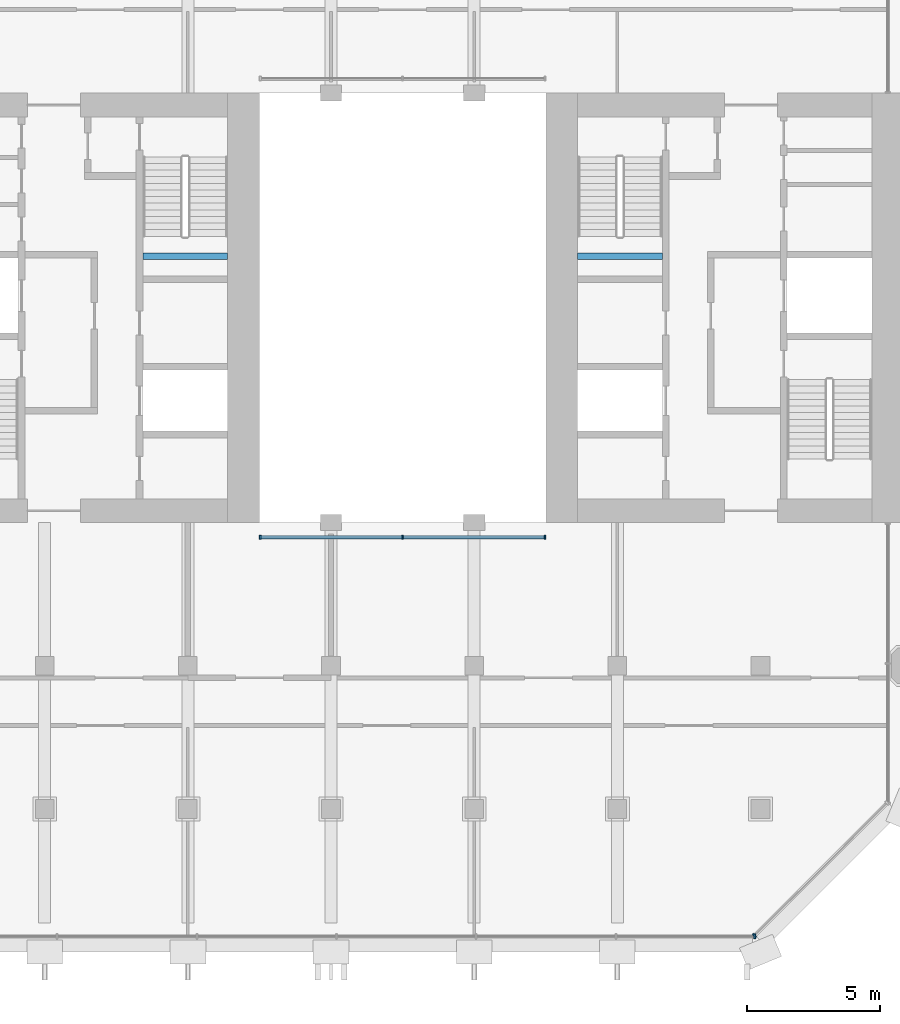
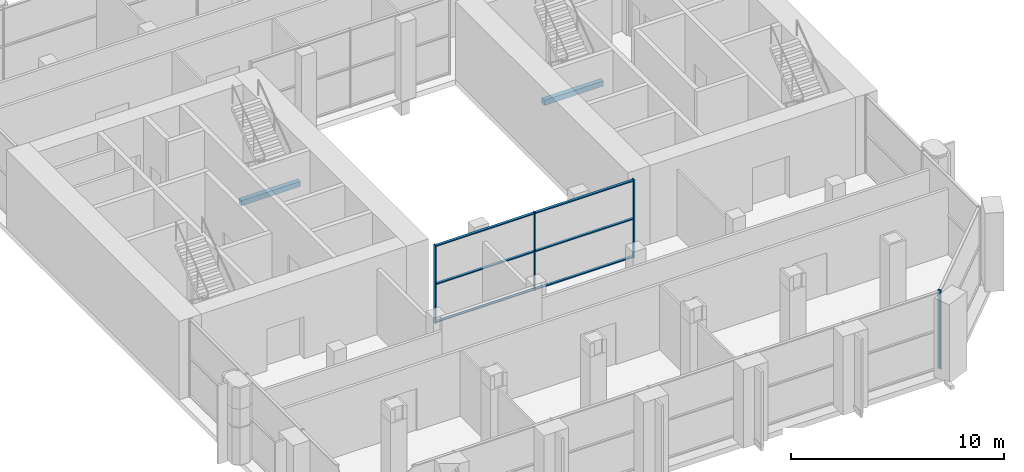
# One storey, part 3 of 13: 11 members, 2 beams, 3 elements without a shape of their own.
"""IFC4 building model written with IfcOpenShell, lengths in metres."""

from ifc_helpers import new_model, si_unit, direction, frame, origin, origin_2d, place, context, subcontext, project, spatial, rectangle, extrude, material, material_profile, profile_set, type_object, element, aggregate, save


model = new_model("IFC4")

# Units and contexts
model_context = context("Model", 3, precision=1e-05, world=origin(), true_north=direction((0.0, 1.0)))
body_context = subcontext(model_context, "Body", "Model", "MODEL_VIEW")
ifc_project = project(units=[si_unit("LENGTHUNIT", "METRE"), si_unit("AREAUNIT", "SQUARE_METRE"), si_unit("VOLUMEUNIT", "CUBIC_METRE"), si_unit("PLANEANGLEUNIT", "RADIAN"), si_unit("MASSUNIT", "GRAM", prefix="KILO")], contexts=[model_context])

# Site, building, storey
site_placement = place(None, origin())
site = spatial("IfcSite", under=ifc_project, at=site_placement, CompositionType="ELEMENT")
building_placement = place(site_placement, origin())
building = spatial("IfcBuilding", under=site, at=building_placement, Name="Tabaq Tower and Sports Hall", CompositionType="ELEMENT")
storey_placement = place(building_placement, frame((0.0, 0.0, 255.699951171875)))
storey = spatial("IfcBuildingStorey", under=building, at=storey_placement, Name="L62", CompositionType="ELEMENT", Elevation=255.699951171875)

# Curtain wall, members
ifc_material_1 = material(Name="Aluminium alloy 6063-T6 framed glazing", Category="aluminium")
curtain_wall_type_1 = type_object("IfcCurtainWallType", Name="CW1 curtain wall", PredefinedType="USERDEFINED", material=ifc_material_1)
curtain_wall_1_placement = place(storey_placement, origin())
curtain_wall_1 = element("IfcCurtainWall", 1, at=curtain_wall_1_placement, inside=storey, type_object=curtain_wall_type_1, Name="Atrium glazing L62 S", ObjectType="ATRIUM ENCLOSURE", PredefinedType="USERDEFINED")
ifc_material_2 = material(Name="Aluminium alloy 6063-T6", Category="aluminium")
ifc_material_profile_1 = material_profile(ifc_material_2, rectangle(XDim=0.159912109375, YDim=0.06005859375, at=origin_2d()), Name="MULLION 160x60")
ifc_profile_set_1 = profile_set([ifc_material_profile_1], Name="Aluminium alloy 6063-T6")
member_type_1 = type_object("IfcMemberType", Name="CW1 mullion 160x60", PredefinedType="MULLION", material=ifc_profile_set_1)
member_1_placement = place(storey_placement, frame((18.929931640625, 15.64990234375, 0.0), z_axis=(0.0, 0.0, 1.0), x_axis=(0.0, 1.0, 0.0)))
member_1 = element("IfcMember", 2, at=member_1_placement, type_object=member_type_1, Name="CW1 mullion 1", PredefinedType="MULLION", context=body_context, shape_type="SweptSolid", body=[
    extrude(rectangle(XDim=0.159912109375, YDim=0.06005859375, at=origin_2d()), origin(), (0.0, 0.0, 1.0), 4.5),
])
member_2_placement = place(storey_placement, frame((24.300048828125, 15.64990234375, 0.0), z_axis=(0.0, 0.0, 1.0), x_axis=(0.0, 1.0, 0.0)))
member_2 = element("IfcMember", 3, at=member_2_placement, type_object=member_type_1, Name="CW1 mullion 2", PredefinedType="MULLION", context=body_context, shape_type="SweptSolid", body=[
    extrude(rectangle(XDim=0.159912109375, YDim=0.06005859375, at=origin_2d()), origin(), (0.0, 0.0, 1.0), 4.5),
])
member_3_placement = place(storey_placement, frame((29.669921875, 15.64990234375, 0.0), z_axis=(0.0, 0.0, 1.0), x_axis=(0.0, 1.0, 0.0)))
member_3 = element("IfcMember", 4, at=member_3_placement, type_object=member_type_1, Name="CW1 mullion 3", PredefinedType="MULLION", context=body_context, shape_type="SweptSolid", body=[
    extrude(rectangle(XDim=0.159912109375, YDim=0.06005859375, at=origin_2d()), origin(), (0.0, 0.0, 1.0), 4.5),
])
ifc_material_3 = material(Name="Aluminium alloy 6063-T6", Category="aluminium")
ifc_material_profile_2 = material_profile(ifc_material_3, rectangle(XDim=0.139892578125, YDim=0.06005859375, at=origin_2d()), Name="TRANSOM 140x60")
ifc_profile_set_2 = profile_set([ifc_material_profile_2], Name="Aluminium alloy 6063-T6")
member_type_2 = type_object("IfcMemberType", Name="CW1 transom 140x60", PredefinedType="USERDEFINED", material=ifc_profile_set_2)
member_4_placement = place(storey_placement, frame((18.9599609375, 15.64990234375, 0.070068359375), z_axis=(1.0, 0.0, 0.0), x_axis=(0.0, 1.0, 0.0)))
member_4 = element("IfcMember", 5, at=member_4_placement, type_object=member_type_2, Name="CW1 transom 1.1", ObjectType="TRANSOM", PredefinedType="USERDEFINED", context=body_context, shape_type="SweptSolid", body=[
    extrude(rectangle(XDim=0.139892578125, YDim=0.06005859375, at=origin_2d()), origin(), (0.0, 0.0, 1.0), 5.31005859375),
])
member_5_placement = place(storey_placement, frame((18.9599609375, 15.64990234375, 2.25), z_axis=(1.0, 0.0, 0.0), x_axis=(0.0, 1.0, 0.0)))
member_5 = element("IfcMember", 6, at=member_5_placement, type_object=member_type_2, Name="CW1 transom 1.2", ObjectType="TRANSOM", PredefinedType="USERDEFINED", context=body_context, shape_type="SweptSolid", body=[
    extrude(rectangle(XDim=0.139892578125, YDim=0.06005859375, at=origin_2d()), origin(), (0.0, 0.0, 1.0), 5.31005859375),
])
member_6_placement = place(storey_placement, frame((18.9599609375, 15.64990234375, 4.429931640625), z_axis=(1.0, 0.0, 0.0), x_axis=(0.0, 1.0, 0.0)))
member_6 = element("IfcMember", 7, at=member_6_placement, type_object=member_type_2, Name="CW1 transom 1.3", ObjectType="TRANSOM", PredefinedType="USERDEFINED", context=body_context, shape_type="SweptSolid", body=[
    extrude(rectangle(XDim=0.139892578125, YDim=0.06005859375, at=origin_2d()), origin(), (0.0, 0.0, 1.0), 5.31005859375),
])
member_7_placement = place(storey_placement, frame((24.330078125, 15.64990234375, 0.070068359375), z_axis=(1.0, 0.0, 0.0), x_axis=(0.0, 1.0, 0.0)))
member_7 = element("IfcMember", 8, at=member_7_placement, type_object=member_type_2, Name="CW1 transom 2.1", ObjectType="TRANSOM", PredefinedType="USERDEFINED", context=body_context, shape_type="SweptSolid", body=[
    extrude(rectangle(XDim=0.139892578125, YDim=0.06005859375, at=origin_2d()), origin(), (0.0, 0.0, 1.0), 5.309814453125),
])
member_8_placement = place(storey_placement, frame((24.330078125, 15.64990234375, 2.25), z_axis=(1.0, 0.0, 0.0), x_axis=(0.0, 1.0, 0.0)))
member_8 = element("IfcMember", 9, at=member_8_placement, type_object=member_type_2, Name="CW1 transom 2.2", ObjectType="TRANSOM", PredefinedType="USERDEFINED", context=body_context, shape_type="SweptSolid", body=[
    extrude(rectangle(XDim=0.139892578125, YDim=0.06005859375, at=origin_2d()), origin(), (0.0, 0.0, 1.0), 5.309814453125),
])
member_9_placement = place(storey_placement, frame((24.330078125, 15.64990234375, 4.429931640625), z_axis=(1.0, 0.0, 0.0), x_axis=(0.0, 1.0, 0.0)))
member_9 = element("IfcMember", 10, at=member_9_placement, type_object=member_type_2, Name="CW1 transom 2.3", ObjectType="TRANSOM", PredefinedType="USERDEFINED", context=body_context, shape_type="SweptSolid", body=[
    extrude(rectangle(XDim=0.139892578125, YDim=0.06005859375, at=origin_2d()), origin(), (0.0, 0.0, 1.0), 5.309814453125),
])
aggregate(curtain_wall_1, [member_1, member_2, member_3, member_4, member_5, member_6, member_7, member_8, member_9])

# Curtain wall, member
ifc_material_4 = material(Name="Aluminium alloy 6063-T6 framed glazing", Category="aluminium")
curtain_wall_type_2 = type_object("IfcCurtainWallType", Name="CW3 curtain wall", PredefinedType="USERDEFINED", material=ifc_material_4)
curtain_wall_2_placement = place(storey_placement, origin())
curtain_wall_2 = element("IfcCurtainWall", 11, at=curtain_wall_2_placement, inside=storey, type_object=curtain_wall_type_2, Name="Garden Floor Wall L62 S", ObjectType="GARDEN FLOOR WALL", PredefinedType="USERDEFINED")
ifc_material_5 = material(Name="Aluminium alloy 6063-T6", Category="aluminium")
ifc_material_profile_3 = material_profile(ifc_material_5, rectangle(XDim=0.179931640625, YDim=0.06005859375, at=origin_2d()), Name="MULLION 180x60")
ifc_profile_set_3 = profile_set([ifc_material_profile_3], Name="Aluminium alloy 6063-T6")
member_type_3 = type_object("IfcMemberType", Name="CW3 mullion 180x60", PredefinedType="MULLION", material=ifc_profile_set_3)
member_10_placement = place(storey_placement, frame((37.58349609375, 0.60009765625, 0.0), z_axis=(0.0, 0.0, 1.0), x_axis=(0.0, 1.0, 0.0)))
member_10 = element("IfcMember", 12, at=member_10_placement, type_object=member_type_3, Name="CW3 mullion 7", PredefinedType="MULLION", context=body_context, shape_type="SweptSolid", body=[
    extrude(rectangle(XDim=0.179931640625, YDim=0.06005859375, at=origin_2d()), origin(), (0.0, 0.0, 1.0), 4.5),
])
aggregate(curtain_wall_2, [member_10])

curtain_wall_3_placement = place(storey_placement, origin())
curtain_wall_3 = element("IfcCurtainWall", 13, at=curtain_wall_3_placement, inside=storey, type_object=curtain_wall_type_2, Name="Garden Floor Wall L62 SE", ObjectType="GARDEN FLOOR WALL", PredefinedType="USERDEFINED")
member_11_placement = place(storey_placement, frame((37.57275390625, 0.62109375, 0.0), z_axis=(0.0, 0.0, 1.0), x_axis=(-0.707106781187, 0.707106781187, 0.0)))
member_11 = element("IfcMember", 14, at=member_11_placement, type_object=member_type_3, Name="CW3 mullion 1", PredefinedType="MULLION", context=body_context, shape_type="SweptSolid", body=[
    extrude(rectangle(XDim=0.179931640625, YDim=0.06005859375, at=origin_2d()), origin(), (0.0, 0.0, 1.0), 4.5),
])
aggregate(curtain_wall_3, [member_11])

# Beams
ifc_material_6 = material(Name="Concrete C40/50", Category="concrete")
ifc_material_profile_4 = material_profile(ifc_material_6, rectangle(XDim=0.25, YDim=0.300048828125, at=origin_2d()), Name="RC 250x300")
ifc_profile_set_4 = profile_set([ifc_material_profile_4], Name="Concrete C40/50")
beam_type = type_object("IfcBeamType", Name="Stair landing beam 250x300", PredefinedType="BEAM", material=ifc_profile_set_4)
beam_1_placement = place(storey_placement, frame((14.5, 26.25, 2.050048828125), z_axis=(1.0, 0.0, 0.0), x_axis=(0.0, 1.0, 0.0)))
element("IfcBeam", 15, at=beam_1_placement, inside=storey, type_object=beam_type, Name="L62 ST2 landing beam 1", PredefinedType="BEAM", context=body_context, shape_type="SweptSolid", body=[
    extrude(rectangle(XDim=0.25, YDim=0.300048828125, at=origin_2d()), origin(), (0.0, 0.0, 1.0), 3.199951171875),
])
beam_2_placement = place(storey_placement, frame((30.89990234375, 26.25, 2.050048828125), z_axis=(1.0, 0.0, 0.0), x_axis=(0.0, 1.0, 0.0)))
element("IfcBeam", 16, at=beam_2_placement, inside=storey, type_object=beam_type, Name="L62 ST4 landing beam 1", PredefinedType="BEAM", context=body_context, shape_type="SweptSolid", body=[
    extrude(rectangle(XDim=0.25, YDim=0.300048828125, at=origin_2d()), origin(), (0.0, 0.0, 1.0), 3.2001953125),
])

save(model, "model.ifc")
